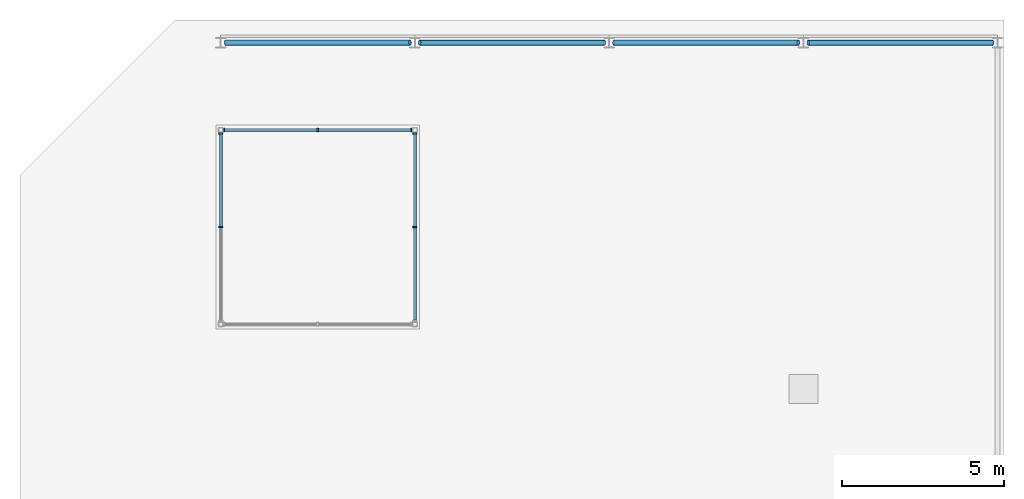
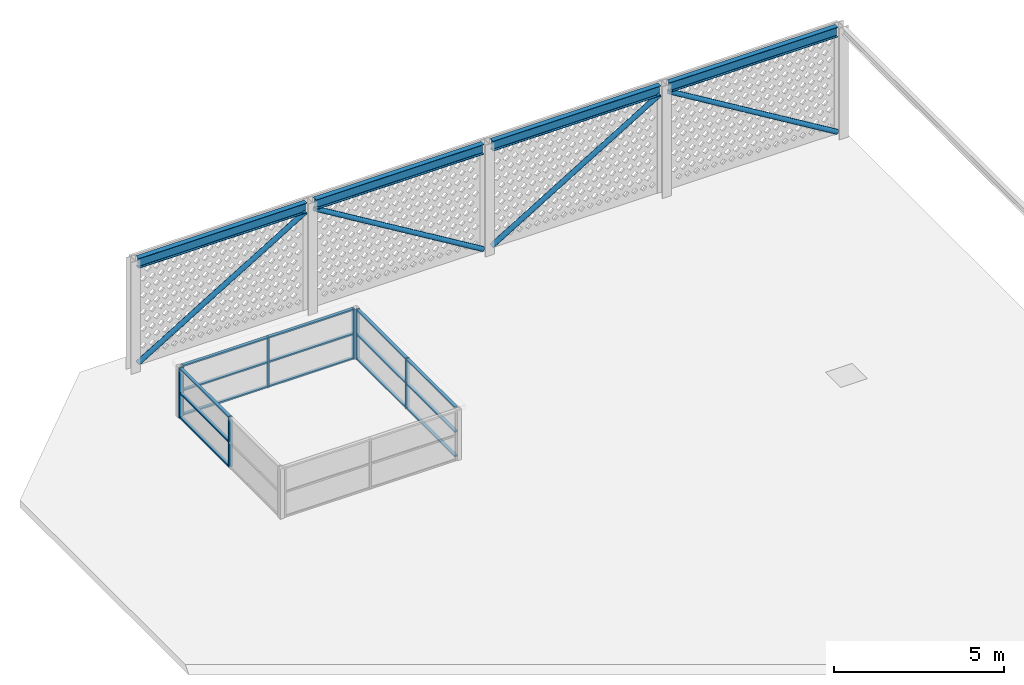
# One storey, part 9 of 10: 26 members, 4 beams, 3 elements without a shape of their own.
"""IFC4 building model written with IfcOpenShell, lengths in metres."""

from ifc_helpers import new_model, si_unit, direction, frame, origin, origin_2d, place, context, subcontext, project, spatial, rectangle, hollow_circle, i_section, extrude, source, transform, mapped, material, layer, layer_set, material_profile, profile_set, type_object, element, aggregate, save


model = new_model("IFC4")

# Units and contexts
model_context = context("Model", 3, precision=1e-05, world=origin(), true_north=direction((0.0, 1.0)))
body_context = subcontext(model_context, "Body", "Model", "MODEL_VIEW")
ifc_project = project(units=[si_unit("LENGTHUNIT", "METRE"), si_unit("AREAUNIT", "SQUARE_METRE"), si_unit("VOLUMEUNIT", "CUBIC_METRE"), si_unit("PLANEANGLEUNIT", "RADIAN"), si_unit("MASSUNIT", "GRAM", prefix="KILO")], contexts=[model_context])

# Site, building, storey
site_placement = place(None, origin())
site = spatial("IfcSite", under=ifc_project, at=site_placement, CompositionType="ELEMENT")
building_placement = place(site_placement, origin())
building = spatial("IfcBuilding", under=site, at=building_placement, Name="Poui Terraces", CompositionType="ELEMENT")
storey_placement = place(building_placement, frame((0.0, 0.0, 292.199951171875)))
storey = spatial("IfcBuildingStorey", under=building, at=storey_placement, Name="ROOF", CompositionType="ELEMENT", Elevation=292.199951171875)

# Curtain wall, members
ifc_material_1 = material(Name="Clear glass", Category="glass")
ifc_layer = layer(ifc_material_1, 0.1201171875)
ifc_layer_set = layer_set([ifc_layer], Name="Clear glass")
curtain_wall_type = type_object("IfcCurtainWallType", Name="CURTAIN WALL CW-F LANTERN GLAZING", PredefinedType="NOTDEFINED", material=ifc_layer_set)
curtain_wall_1_placement = place(storey_placement, origin())
curtain_wall_1 = element("IfcCurtainWall", 1, at=curtain_wall_1_placement, inside=storey, type_object=curtain_wall_type, Name="CW-F LANTERN GLAZING", PredefinedType="NOTDEFINED")
ifc_material_2 = material(Name="Aluminium frame", Category="aluminium")
ifc_material_profile_1 = material_profile(ifc_material_2, rectangle(XDim=0.1201171875, YDim=0.050048828125, at=origin_2d()), Name="CW-F MULLION 50X120")
ifc_profile_set_1 = profile_set([ifc_material_profile_1], Name="Aluminium frame")
member_type_1 = type_object("IfcMemberType", Name="CW-F MULLION 50X120", PredefinedType="MULLION", material=ifc_profile_set_1)
member_1_placement = place(storey_placement, frame((29.89990234375, 38.0, 0.0), z_axis=(0.0, 0.0, 1.0), x_axis=(0.0, -1.0, 0.0)))
member_1 = element("IfcMember", 2, at=member_1_placement, type_object=member_type_1, Name="CW-F mullion 1", PredefinedType="MULLION", context=body_context, shape_type="SweptSolid", body=[
    extrude(rectangle(XDim=0.1201171875, YDim=0.050048828125, at=origin_2d()), origin(), (0.0, 0.0, 1.0), 1.800048828125),
])
member_2_placement = place(storey_placement, frame((27.0, 38.0, 0.0), z_axis=(0.0, 0.0, 1.0), x_axis=(0.0, -1.0, 0.0)))
member_2 = element("IfcMember", 3, at=member_2_placement, type_object=member_type_1, Name="CW-F mullion 2", PredefinedType="MULLION", context=body_context, shape_type="SweptSolid", body=[
    extrude(rectangle(XDim=0.1201171875, YDim=0.050048828125, at=origin_2d()), origin(), (0.0, 0.0, 1.0), 1.800048828125),
])
member_3_placement = place(storey_placement, frame((24.10009765625, 38.0, 0.0), z_axis=(0.0, 0.0, 1.0), x_axis=(0.0, -1.0, 0.0)))
member_3 = element("IfcMember", 4, at=member_3_placement, type_object=member_type_1, Name="CW-F mullion 3", PredefinedType="MULLION", context=body_context, shape_type="SweptSolid", body=[
    extrude(rectangle(XDim=0.1201171875, YDim=0.050048828125, at=origin_2d()), origin(), (0.0, 0.0, 1.0), 1.800048828125),
])

curtain_wall_2_placement = place(storey_placement, origin())
curtain_wall_2 = element("IfcCurtainWall", 5, at=curtain_wall_2_placement, inside=storey, type_object=curtain_wall_type, Name="CW-F LANTERN GLAZING", PredefinedType="NOTDEFINED")
member_4_placement = place(storey_placement, frame((30.0, 35.0, 0.0), z_axis=(0.0, 0.0, 1.0), x_axis=(-1.0, 0.0, 0.0)))
member_4 = element("IfcMember", 6, at=member_4_placement, type_object=member_type_1, Name="CW-F mullion 2", PredefinedType="MULLION", context=body_context, shape_type="SweptSolid", body=[
    extrude(rectangle(XDim=0.1201171875, YDim=0.050048828125, at=origin_2d()), origin(), (0.0, 0.0, 1.0), 1.800048828125),
])
member_5_placement = place(storey_placement, frame((30.0, 37.89990234375, 0.0), z_axis=(0.0, 0.0, 1.0), x_axis=(-1.0, 0.0, 0.0)))
member_5 = element("IfcMember", 7, at=member_5_placement, type_object=member_type_1, Name="CW-F mullion 3", PredefinedType="MULLION", context=body_context, shape_type="SweptSolid", body=[
    extrude(rectangle(XDim=0.1201171875, YDim=0.050048828125, at=origin_2d()), origin(), (0.0, 0.0, 1.0), 1.800048828125),
])

curtain_wall_3_placement = place(storey_placement, origin())
curtain_wall_3 = element("IfcCurtainWall", 8, at=curtain_wall_3_placement, inside=storey, type_object=curtain_wall_type, Name="CW-F LANTERN GLAZING", PredefinedType="NOTDEFINED")
member_6_placement = place(storey_placement, frame((24.0, 37.89990234375, 0.0), z_axis=(0.0, 0.0, 1.0), x_axis=(1.0, 0.0, 0.0)))
member_6 = element("IfcMember", 9, at=member_6_placement, type_object=member_type_1, Name="CW-F mullion 1", PredefinedType="MULLION", context=body_context, shape_type="SweptSolid", body=[
    extrude(rectangle(XDim=0.1201171875, YDim=0.050048828125, at=origin_2d()), origin(), (0.0, 0.0, 1.0), 1.800048828125),
])
member_7_placement = place(storey_placement, frame((24.0, 35.0, 0.0), z_axis=(0.0, 0.0, 1.0), x_axis=(1.0, 0.0, 0.0)))
member_7 = element("IfcMember", 10, at=member_7_placement, type_object=member_type_1, Name="CW-F mullion 2", PredefinedType="MULLION", context=body_context, shape_type="SweptSolid", body=[
    extrude(rectangle(XDim=0.1201171875, YDim=0.050048828125, at=origin_2d()), origin(), (0.0, 0.0, 1.0), 1.800048828125),
])

# Member
ifc_material_profile_2 = material_profile(ifc_material_2, rectangle(XDim=0.10009765625, YDim=0.050048828125, at=origin_2d()), Name="CW-F TRANSOM 50X100")
ifc_profile_set_2 = profile_set([ifc_material_profile_2], Name="Aluminium frame")
member_type_2 = type_object("IfcMemberType", Name="CW-F TRANSOM 50X100", PredefinedType="USERDEFINED", material=ifc_profile_set_2)
member_8_placement = place(storey_placement, frame((29.875, 38.0, 0.025146484375), z_axis=(-1.0, 0.0, 0.0), x_axis=(0.0, -1.0, 0.0)))
member_8 = element("IfcMember", 11, at=member_8_placement, type_object=member_type_2, Name="CW-F transom 1.1", ObjectType="TRANSOM", PredefinedType="USERDEFINED", context=body_context, shape_type="SweptSolid", body=[
    extrude(rectangle(XDim=0.10009765625, YDim=0.050048828125, at=origin_2d()), origin(), (0.0, 0.0, 1.0), 2.85009765625),
])

member_9_placement = place(storey_placement, frame((29.875, 38.0, 0.900146484375), z_axis=(-1.0, 0.0, 0.0), x_axis=(0.0, -1.0, 0.0)))
member_9 = element("IfcMember", 12, at=member_9_placement, type_object=member_type_2, Name="CW-F transom 1.2", ObjectType="TRANSOM", PredefinedType="USERDEFINED", context=body_context, shape_type="SweptSolid", body=[
    extrude(rectangle(XDim=0.10009765625, YDim=0.050048828125, at=origin_2d()), origin(), (0.0, 0.0, 1.0), 2.85009765625),
])

member_10_placement = place(storey_placement, frame((29.875, 38.0, 1.775146484375), z_axis=(-1.0, 0.0, 0.0), x_axis=(0.0, -1.0, 0.0)))
member_10 = element("IfcMember", 13, at=member_10_placement, type_object=member_type_2, Name="CW-F transom 1.3", ObjectType="TRANSOM", PredefinedType="USERDEFINED", context=body_context, shape_type="SweptSolid", body=[
    extrude(rectangle(XDim=0.10009765625, YDim=0.050048828125, at=origin_2d()), origin(), (0.0, 0.0, 1.0), 2.85009765625),
])

member_11_placement = place(storey_placement, frame((26.97509765625, 38.0, 0.025146484375), z_axis=(-1.0, 0.0, 0.0), x_axis=(0.0, -1.0, 0.0)))
member_11 = element("IfcMember", 14, at=member_11_placement, type_object=member_type_2, Name="CW-F transom 2.1", ObjectType="TRANSOM", PredefinedType="USERDEFINED", context=body_context, shape_type="SweptSolid", body=[
    extrude(rectangle(XDim=0.10009765625, YDim=0.050048828125, at=origin_2d()), origin(), (0.0, 0.0, 1.0), 2.85009765625),
])

member_12_placement = place(storey_placement, frame((26.97509765625, 38.0, 0.900146484375), z_axis=(-1.0, 0.0, 0.0), x_axis=(0.0, -1.0, 0.0)))
member_12 = element("IfcMember", 15, at=member_12_placement, type_object=member_type_2, Name="CW-F transom 2.2", ObjectType="TRANSOM", PredefinedType="USERDEFINED", context=body_context, shape_type="SweptSolid", body=[
    extrude(rectangle(XDim=0.10009765625, YDim=0.050048828125, at=origin_2d()), origin(), (0.0, 0.0, 1.0), 2.85009765625),
])

member_13_placement = place(storey_placement, frame((26.97509765625, 38.0, 1.775146484375), z_axis=(-1.0, 0.0, 0.0), x_axis=(0.0, -1.0, 0.0)))
member_13 = element("IfcMember", 16, at=member_13_placement, type_object=member_type_2, Name="CW-F transom 2.3", ObjectType="TRANSOM", PredefinedType="USERDEFINED", context=body_context, shape_type="SweptSolid", body=[
    extrude(rectangle(XDim=0.10009765625, YDim=0.050048828125, at=origin_2d()), origin(), (0.0, 0.0, 1.0), 2.85009765625),
])

aggregate(curtain_wall_1, [member_1, member_2, member_3, member_8, member_9, member_10, member_11, member_12, member_13])

member_14_placement = place(storey_placement, frame((30.0, 32.125, 0.025146484375), z_axis=(0.0, 1.0, 0.0), x_axis=(-1.0, 0.0, 0.0)))
member_14 = element("IfcMember", 17, at=member_14_placement, type_object=member_type_2, Name="CW-F transom 1.1", ObjectType="TRANSOM", PredefinedType="USERDEFINED", context=body_context, shape_type="SweptSolid", body=[
    extrude(rectangle(XDim=0.10009765625, YDim=0.050048828125, at=origin_2d()), origin(), (0.0, 0.0, 1.0), 2.85009765625),
])

member_15_placement = place(storey_placement, frame((30.0, 32.125, 0.900146484375), z_axis=(0.0, 1.0, 0.0), x_axis=(-1.0, 0.0, 0.0)))
member_15 = element("IfcMember", 18, at=member_15_placement, type_object=member_type_2, Name="CW-F transom 1.2", ObjectType="TRANSOM", PredefinedType="USERDEFINED", context=body_context, shape_type="SweptSolid", body=[
    extrude(rectangle(XDim=0.10009765625, YDim=0.050048828125, at=origin_2d()), origin(), (0.0, 0.0, 1.0), 2.85009765625),
])

member_16_placement = place(storey_placement, frame((30.0, 32.125, 1.775146484375), z_axis=(0.0, 1.0, 0.0), x_axis=(-1.0, 0.0, 0.0)))
member_16 = element("IfcMember", 19, at=member_16_placement, type_object=member_type_2, Name="CW-F transom 1.3", ObjectType="TRANSOM", PredefinedType="USERDEFINED", context=body_context, shape_type="SweptSolid", body=[
    extrude(rectangle(XDim=0.10009765625, YDim=0.050048828125, at=origin_2d()), origin(), (0.0, 0.0, 1.0), 2.85009765625),
])

member_17_placement = place(storey_placement, frame((30.0, 35.02490234375, 0.025146484375), z_axis=(0.0, 1.0, 0.0), x_axis=(-1.0, 0.0, 0.0)))
member_17 = element("IfcMember", 20, at=member_17_placement, type_object=member_type_2, Name="CW-F transom 2.1", ObjectType="TRANSOM", PredefinedType="USERDEFINED", context=body_context, shape_type="SweptSolid", body=[
    extrude(rectangle(XDim=0.10009765625, YDim=0.050048828125, at=origin_2d()), origin(), (0.0, 0.0, 1.0), 2.85009765625),
])

member_18_placement = place(storey_placement, frame((30.0, 35.02490234375, 0.900146484375), z_axis=(0.0, 1.0, 0.0), x_axis=(-1.0, 0.0, 0.0)))
member_18 = element("IfcMember", 21, at=member_18_placement, type_object=member_type_2, Name="CW-F transom 2.2", ObjectType="TRANSOM", PredefinedType="USERDEFINED", context=body_context, shape_type="SweptSolid", body=[
    extrude(rectangle(XDim=0.10009765625, YDim=0.050048828125, at=origin_2d()), origin(), (0.0, 0.0, 1.0), 2.85009765625),
])

member_19_placement = place(storey_placement, frame((30.0, 35.02490234375, 1.775146484375), z_axis=(0.0, 1.0, 0.0), x_axis=(-1.0, 0.0, 0.0)))
member_19 = element("IfcMember", 22, at=member_19_placement, type_object=member_type_2, Name="CW-F transom 2.3", ObjectType="TRANSOM", PredefinedType="USERDEFINED", context=body_context, shape_type="SweptSolid", body=[
    extrude(rectangle(XDim=0.10009765625, YDim=0.050048828125, at=origin_2d()), origin(), (0.0, 0.0, 1.0), 2.85009765625),
])

aggregate(curtain_wall_2, [member_4, member_5, member_14, member_15, member_16, member_17, member_18, member_19])

member_20_placement = place(storey_placement, frame((24.0, 37.875, 0.025146484375), z_axis=(0.0, -1.0, 0.0), x_axis=(1.0, 0.0, 0.0)))
member_20 = element("IfcMember", 23, at=member_20_placement, type_object=member_type_2, Name="CW-F transom 1.1", ObjectType="TRANSOM", PredefinedType="USERDEFINED", context=body_context, shape_type="SweptSolid", body=[
    extrude(rectangle(XDim=0.10009765625, YDim=0.050048828125, at=origin_2d()), origin(), (0.0, 0.0, 1.0), 2.85009765625),
])

member_21_placement = place(storey_placement, frame((24.0, 37.875, 0.900146484375), z_axis=(0.0, -1.0, 0.0), x_axis=(1.0, 0.0, 0.0)))
member_21 = element("IfcMember", 24, at=member_21_placement, type_object=member_type_2, Name="CW-F transom 1.2", ObjectType="TRANSOM", PredefinedType="USERDEFINED", context=body_context, shape_type="SweptSolid", body=[
    extrude(rectangle(XDim=0.10009765625, YDim=0.050048828125, at=origin_2d()), origin(), (0.0, 0.0, 1.0), 2.85009765625),
])

member_22_placement = place(storey_placement, frame((24.0, 37.875, 1.775146484375), z_axis=(0.0, -1.0, 0.0), x_axis=(1.0, 0.0, 0.0)))
member_22 = element("IfcMember", 25, at=member_22_placement, type_object=member_type_2, Name="CW-F transom 1.3", ObjectType="TRANSOM", PredefinedType="USERDEFINED", context=body_context, shape_type="SweptSolid", body=[
    extrude(rectangle(XDim=0.10009765625, YDim=0.050048828125, at=origin_2d()), origin(), (0.0, 0.0, 1.0), 2.85009765625),
])

aggregate(curtain_wall_3, [member_6, member_7, member_20, member_21, member_22])

# Members
ifc_material_3 = material(Name="Steel Grade 350 MPa", Category="steel")
ifc_material_profile_3 = material_profile(ifc_material_3, hollow_circle(Radius=0.084228515625, WallThickness=0.007080078125, at=origin_2d()), Name="168.3x7.1 CHS")
ifc_profile_set_3 = profile_set([ifc_material_profile_3], Name="Steel Grade 350 MPa")
member_type_3 = type_object("IfcMemberType", Name="SCREEN FRAME BRACE 168.3x7.1 CHS", PredefinedType="BRACE", material=ifc_profile_set_3)
for number, where, z_axis, x_axis, name in (
    (26, (24.153564453125, 40.699951171875, 0.199951171875), (0.855784886129, 0.0, 0.51733183613), (0.0, 1.0, 0.0), "SCREEN FRAME BRACE N1"),
    (27, (35.846435546875, 40.699951171875, 0.199951171875), (-0.855784886129, 0.0, 0.51733183613), (0.0, -1.0, 0.0), "SCREEN FRAME BRACE N2"),
    (28, (36.153564453125, 40.699951171875, 0.199951171875), (0.855784886129, 0.0, 0.51733183613), (0.0, 1.0, 0.0), "SCREEN FRAME BRACE N3"),
    (29, (47.846435546875, 40.699951171875, 0.199951171875), (-0.855784886129, 0.0, 0.51733183613), (0.0, -1.0, 0.0), "SCREEN FRAME BRACE N4"),
):
    element("IfcMember", number, at=place(storey_placement, frame(where, z_axis=z_axis, x_axis=x_axis)), inside=storey, type_object=member_type_3, Name=name, PredefinedType="BRACE", context=body_context, shape_type="SweptSolid", body=[
        extrude(hollow_circle(Radius=0.084228515625, WallThickness=0.007080078125, at=origin_2d()), origin(), (0.0, 0.0, 1.0), 6.65234375),
    ])

# Beams
ifc_material_4 = material(Name="Steel Grade 300 MPa", Category="steel")
ifc_material_profile_4 = material_profile(ifc_material_4, i_section(OverallWidth=0.172119140625, OverallDepth=0.358642578125, WebThickness=0.008056640625, FlangeThickness=0.012939453125, FilletRadius=0.011474609375, at=origin_2d()), Name="360UB56.7")
ifc_profile_set_4 = profile_set([ifc_material_profile_4], Name="Steel Grade 300 MPa")
beam_type = type_object("IfcBeamType", Name="SCREEN FRAME EDGE BEAM 360UB56.7", PredefinedType="BEAM", material=ifc_profile_set_4)
shared_shape = source(origin(), body_context, "Body", "SweptSolid", [
    extrude(i_section(OverallWidth=0.172119140625, OverallDepth=0.358642578125, WebThickness=0.008056640625, FlangeThickness=0.012939453125, FilletRadius=0.011474609375, at=origin_2d()), origin(), (0.0, 0.0, 1.0), 5.69287109375),
])
for number, where, z_axis, x_axis, name in (
    (30, (24.153564453125, 40.699951171875, 3.82080078125), (1.0, 0.0, 0.0), (0.0, 1.0, 0.0), "SCREEN FRAME EDGE BEAM N1"),
    (31, (30.153564453125, 40.699951171875, 3.82080078125), (1.0, 0.0, 0.0), (0.0, 1.0, 0.0), "SCREEN FRAME EDGE BEAM N2"),
    (32, (36.153564453125, 40.699951171875, 3.82080078125), (1.0, 0.0, 0.0), (0.0, 1.0, 0.0), "SCREEN FRAME EDGE BEAM N3"),
    (33, (42.153564453125, 40.699951171875, 3.82080078125), (1.0, 0.0, 0.0), (0.0, 1.0, 0.0), "SCREEN FRAME EDGE BEAM N4"),
):
    element("IfcBeam", number, at=place(storey_placement, frame(where, z_axis=z_axis, x_axis=x_axis)), inside=storey, type_object=beam_type, Name=name, PredefinedType="BEAM", context=body_context, shape_type="MappedRepresentation", body=[
        mapped(shared_shape, transform((0.0, 0.0, 0.0))),
    ])

save(model, "model.ifc")
